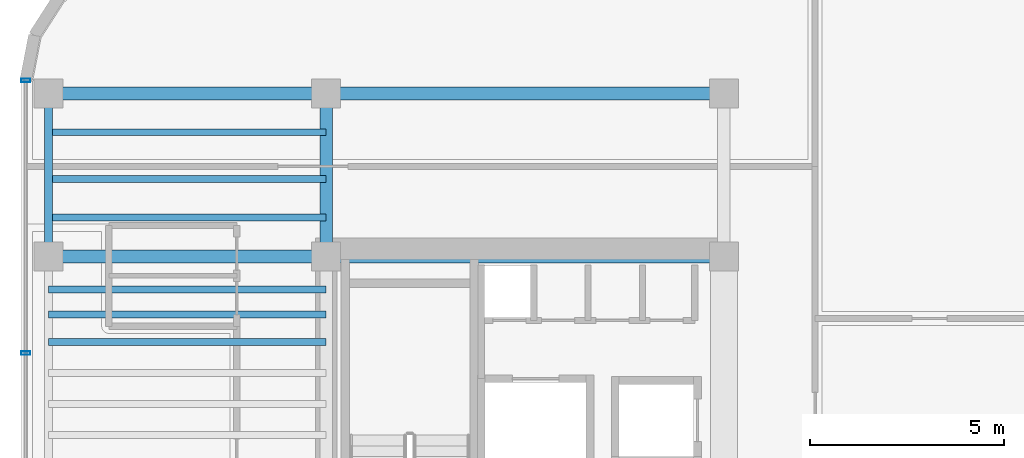
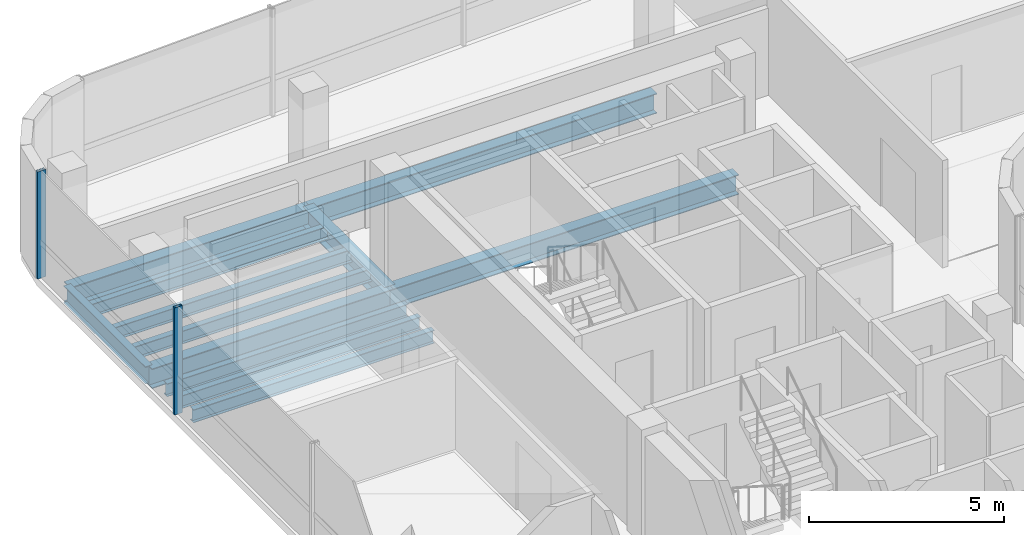
# One storey, part 7 of 17: 12 beams, 2 members, 1 element without a shape of its own.
"""IFC4 building model written with IfcOpenShell, lengths in metres."""

from ifc_helpers import new_model, si_unit, direction, frame, origin, origin_2d, place, context, subcontext, project, spatial, hollow_rectangle, i_section, extrude, source, transform, mapped, material, material_profile, profile_set, type_object, element, aggregate, save


model = new_model("IFC4")

# Units and contexts
model_context = context("Model", 3, precision=1e-05, world=origin(), true_north=direction((0.0, 1.0)))
body_context = subcontext(model_context, "Body", "Model", "MODEL_VIEW")
ifc_project = project(units=[si_unit("LENGTHUNIT", "METRE"), si_unit("AREAUNIT", "SQUARE_METRE"), si_unit("VOLUMEUNIT", "CUBIC_METRE"), si_unit("PLANEANGLEUNIT", "RADIAN"), si_unit("MASSUNIT", "GRAM", prefix="KILO")], contexts=[model_context])

# Site, building, storey
site_placement = place(None, origin())
site = spatial("IfcSite", under=ifc_project, at=site_placement, CompositionType="ELEMENT")
building_placement = place(site_placement, origin())
building = spatial("IfcBuilding", under=site, at=building_placement, Name="Valdorenza Pilgrim Sanctuary Tower", CompositionType="ELEMENT")
storey_placement = place(building_placement, frame((0.0, 0.0, 287.0)))
storey = spatial("IfcBuildingStorey", under=building, at=storey_placement, Name="L75", CompositionType="ELEMENT", Elevation=287.0)

# Beams
ifc_material_1 = material(Name="Steel ASTM A992 Grade 50", Category="steel")
ifc_material_profile_1 = material_profile(ifc_material_1, i_section(OverallWidth=0.323974609375, OverallDepth=0.611083984375, WebThickness=0.0126953125, FlangeThickness=0.01904296875, at=origin_2d()), Name="W24X104")
ifc_profile_set_1 = profile_set([ifc_material_profile_1], Name="Steel ASTM A992 Grade 50")
beam_type_1 = type_object("IfcBeamType", Name="STR-BM-GRD-W24B", PredefinedType="BEAM", material=ifc_profile_set_1)
shared_shape_1 = source(origin(), body_context, "Body", "SweptSolid", [
    extrude(i_section(OverallWidth=0.323974609375, OverallDepth=0.611083984375, WebThickness=0.0126953125, FlangeThickness=0.01904296875, at=origin_2d()), origin(), (0.0, 0.0, 1.0), 4.199951171875),
])
beam_1_placement = place(storey_placement, frame((-22.64990234375, 10.60009765625, -0.54541015625), z_axis=(0.0, 1.0, 0.0), x_axis=(-1.0, 0.0, 0.0)))
element("IfcBeam", 1, at=beam_1_placement, inside=storey, type_object=beam_type_1, Name="L75 Core Tie Girder CA-W-N1N2", PredefinedType="BEAM", context=body_context, shape_type="MappedRepresentation", body=[
    mapped(shared_shape_1, transform((0.0, 0.0, 0.0), x_axis=(1.0, 0.0, 0.0), y_axis=(0.0, 1.0, 0.0), z_axis=(0.0, 0.0, 1.0), scale=1.0)),
])
ifc_material_profile_2 = material_profile(ifc_material_1, i_section(OverallWidth=0.2109375, OverallDepth=0.5390625, WebThickness=0.01171875, FlangeThickness=0.018798828125, at=origin_2d()), Name="W21X73")
ifc_profile_set_2 = profile_set([ifc_material_profile_2], Name="Steel ASTM A992 Grade 50")
beam_type_2 = type_object("IfcBeamType", Name="STR-BM-SPN-W21B", PredefinedType="SPANDREL", material=ifc_profile_set_2)
shared_shape_2 = source(origin(), body_context, "Body", "SweptSolid", [
    extrude(i_section(OverallWidth=0.2109375, OverallDepth=0.5390625, WebThickness=0.01171875, FlangeThickness=0.018798828125, at=origin_2d()), origin(), (0.0, 0.0, 1.0), 4.199951171875),
])
beam_2_placement = place(storey_placement, frame((-29.800048828125, 10.60009765625, -0.509521484375), z_axis=(0.0, 1.0, 0.0), x_axis=(-1.0, 0.0, 0.0)))
element("IfcBeam", 2, at=beam_2_placement, inside=storey, type_object=beam_type_2, Name="L75 Spandrel Beam WA-W-N1N2", PredefinedType="SPANDREL", context=body_context, shape_type="MappedRepresentation", body=[
    mapped(shared_shape_2, transform((0.0, 0.0, 0.0), x_axis=(1.0, 0.0, 0.0), y_axis=(0.0, 1.0, 0.0), z_axis=(0.0, 0.0, 1.0), scale=1.0)),
])
ifc_material_profile_3 = material_profile(ifc_material_1, i_section(OverallWidth=0.177978515625, OverallDepth=0.406005859375, WebThickness=0.0078125, FlangeThickness=0.0126953125, at=origin_2d()), Name="W16X40")
ifc_profile_set_3 = profile_set([ifc_material_profile_3], Name="Steel ASTM A992 Grade 50")
beam_type_3 = type_object("IfcBeamType", Name="STR-BM-JST-W16", PredefinedType="JOIST", material=ifc_profile_set_3)
shared_shape_3 = source(origin(), body_context, "Body", "SweptSolid", [
    extrude(i_section(OverallWidth=0.177978515625, OverallDepth=0.406005859375, WebThickness=0.0078125, FlangeThickness=0.0126953125, at=origin_2d()), origin(), (0.0, 0.0, 1.0), 7.150146484375),
])
for number, where, z_axis, x_axis, name in (
    (3, (-29.800048828125, 8.39990234375, -0.443115234375), (1.0, 0.0, 0.0), (0.0, 1.0, 0.0), "L75 Composite Floor Joist JST-WA-21"),
    (4, (-29.800048828125, 9.10009765625, -0.443115234375), (1.0, 0.0, 0.0), (0.0, 1.0, 0.0), "L75 Composite Floor Joist JST-WA-22"),
    (5, (-29.800048828125, 9.75, -0.443115234375), (1.0, 0.0, 0.0), (0.0, 1.0, 0.0), "L75 Composite Floor Joist JST-WA-23"),
    (6, (-29.800048828125, 11.60009765625, -0.443115234375), (1.0, 0.0, 0.0), (0.0, 1.0, 0.0), "L75 Composite Floor Joist JST-WA-24"),
    (7, (-29.800048828125, 12.60009765625, -0.443115234375), (1.0, 0.0, 0.0), (0.0, 1.0, 0.0), "L75 Composite Floor Joist JST-WA-25"),
    (8, (-29.800048828125, 13.800048828125, -0.443115234375), (1.0, 0.0, 0.0), (0.0, 1.0, 0.0), "L75 Composite Floor Joist JST-WA-26"),
):
    element("IfcBeam", number, at=place(storey_placement, frame(where, z_axis=z_axis, x_axis=x_axis)), inside=storey, type_object=beam_type_3, Name=name, PredefinedType="JOIST", context=body_context, shape_type="MappedRepresentation", body=[
        mapped(shared_shape_3, transform((0.0, 0.0, 0.0), x_axis=(1.0, 0.0, 0.0), y_axis=(0.0, 1.0, 0.0), z_axis=(0.0, 0.0, 1.0), scale=1.0)),
    ])
ifc_material_profile_4 = material_profile(ifc_material_1, i_section(OverallWidth=0.326904296875, OverallDepth=0.6220703125, WebThickness=0.015380859375, FlangeThickness=0.0244140625, at=origin_2d()), Name="W24X131")
ifc_profile_set_4 = profile_set([ifc_material_profile_4], Name="Steel ASTM A992 Grade 50")
beam_type_4 = type_object("IfcBeamType", Name="STR-BM-GRD-W24A", PredefinedType="BEAM", material=ifc_profile_set_4)
shared_shape_4 = source(origin(), body_context, "Body", "SweptSolid", [
    extrude(i_section(OverallWidth=0.326904296875, OverallDepth=0.6220703125, WebThickness=0.015380859375, FlangeThickness=0.0244140625, at=origin_2d()), origin(), (0.0, 0.0, 1.0), 7.150146484375),
])
for number, where, z_axis, x_axis, name in (
    (9, (-29.800048828125, 10.60009765625, -0.551025390625), (1.0, 0.0, 0.0), (0.0, 1.0, 0.0), "L75 Floor Girder WA-XW-N1"),
    (10, (-29.800048828125, 14.800048828125, -0.551025390625), (1.0, 0.0, 0.0), (0.0, 1.0, 0.0), "L75 Floor Girder WA-XW-N2"),
):
    element("IfcBeam", number, at=place(storey_placement, frame(where, z_axis=z_axis, x_axis=x_axis)), inside=storey, type_object=beam_type_4, Name=name, PredefinedType="BEAM", context=body_context, shape_type="MappedRepresentation", body=[
        mapped(shared_shape_4, transform((0.0, 0.0, 0.0), x_axis=(1.0, 0.0, 0.0), y_axis=(0.0, 1.0, 0.0), z_axis=(0.0, 0.0, 1.0), scale=1.0)),
    ])
shared_shape_5 = source(origin(), body_context, "Body", "SweptSolid", [
    extrude(i_section(OverallWidth=0.326904296875, OverallDepth=0.6220703125, WebThickness=0.015380859375, FlangeThickness=0.0244140625, at=origin_2d()), origin(), (0.0, 0.0, 1.0), 10.25),
])
for number, where, z_axis, x_axis, name in (
    (11, (-22.64990234375, 10.60009765625, -0.551025390625), (1.0, 0.0, 0.0), (0.0, 1.0, 0.0), "L75 Floor Girder CA-XC-N1"),
    (12, (-22.64990234375, 14.800048828125, -0.551025390625), (1.0, 0.0, 0.0), (0.0, 1.0, 0.0), "L75 Floor Girder CA-XC-N2"),
):
    element("IfcBeam", number, at=place(storey_placement, frame(where, z_axis=z_axis, x_axis=x_axis)), inside=storey, type_object=beam_type_4, Name=name, PredefinedType="BEAM", context=body_context, shape_type="MappedRepresentation", body=[
        mapped(shared_shape_5, transform((0.0, 0.0, 0.0), x_axis=(1.0, 0.0, 0.0), y_axis=(0.0, 1.0, 0.0), z_axis=(0.0, 0.0, 1.0), scale=1.0)),
    ])

# Curtain wall, members
ifc_material_2 = material(Name="Curtain-wall IGU glazing", Category="glass")
curtain_wall_type = type_object("IfcCurtainWallType", Name="CW-SYS-04", PredefinedType="NOTDEFINED", material=ifc_material_2)
curtain_wall_placement = place(storey_placement, origin())
curtain_wall = element("IfcCurtainWall", 13, at=curtain_wall_placement, inside=storey, type_object=curtain_wall_type, Name="L75 Curtain Wall CW-L75-1-1", PredefinedType="NOTDEFINED")
ifc_material_3 = material(Name="Anodised aluminium AW-6060", Category="aluminium")
ifc_material_profile_5 = material_profile(ifc_material_3, hollow_rectangle(XDim=0.090087890625, YDim=0.239990234375, WallThickness=0.0048828125, at=origin_2d()), Name="ALU-M 240x90x5")
ifc_profile_set_5 = profile_set([ifc_material_profile_5], Name="Anodised aluminium AW-6060")
member_type = type_object("IfcMemberType", Name="CW-MUL-04", PredefinedType="MULLION", material=ifc_profile_set_5)
shared_shape_6 = source(origin(), body_context, "Body", "SweptSolid", [
    extrude(hollow_rectangle(XDim=0.090087890625, YDim=0.239990234375, WallThickness=0.0048828125, at=origin_2d()), origin(), (0.0, 0.0, 1.0), 3.360107421875),
])
member_1_placement = place(storey_placement, frame((-30.389892578125, 8.105224609375, 0.0), z_axis=(0.0, 0.0, 1.0), x_axis=(0.0, 1.0, 0.0)))
member_1 = element("IfcMember", 14, at=member_1_placement, type_object=member_type, Name="CW-L75-1-1 Mullion 4", PredefinedType="MULLION", context=body_context, shape_type="MappedRepresentation", body=[
    mapped(shared_shape_6, transform((0.0, 0.0, 0.0), x_axis=(1.0, 0.0, 0.0), y_axis=(0.0, 1.0, 0.0), z_axis=(0.0, 0.0, 1.0), scale=1.0)),
])
member_2_placement = place(storey_placement, frame((-30.389892578125, 15.13671875, 0.0), z_axis=(0.0, 0.0, 1.0), x_axis=(0.0, 1.0, 0.0)))
member_2 = element("IfcMember", 15, at=member_2_placement, type_object=member_type, Name="CW-L75-1-1 Mullion 5", PredefinedType="MULLION", context=body_context, shape_type="MappedRepresentation", body=[
    mapped(shared_shape_6, transform((0.0, 0.0, 0.0), x_axis=(1.0, 0.0, 0.0), y_axis=(0.0, 1.0, 0.0), z_axis=(0.0, 0.0, 1.0), scale=1.0)),
])
aggregate(curtain_wall, [member_1, member_2])

save(model, "model.ifc")
